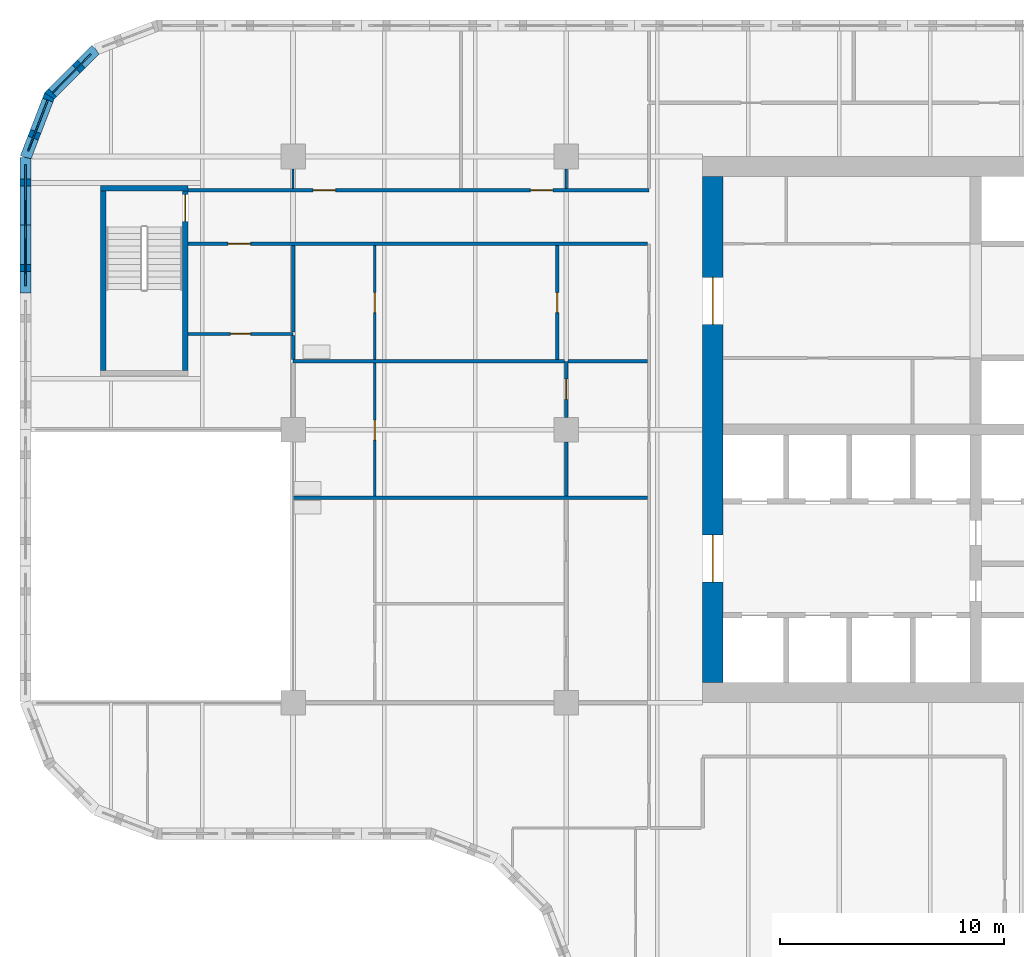
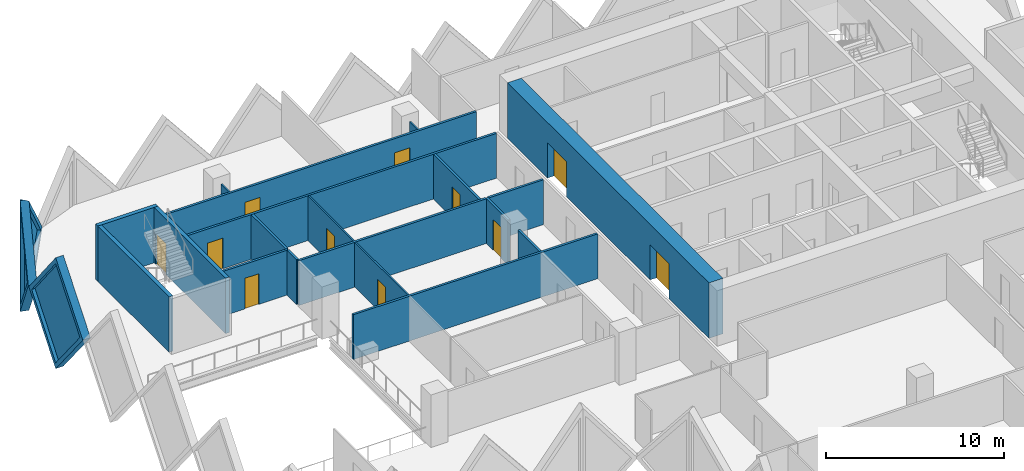
# One storey, part 8 of 20: 22 walls, 11 doors, 3 plates, 14 openings.
"""IFC4 building model written with IfcOpenShell, lengths in metres."""

import ifcopenshell
import ifcopenshell.guid

model = None  # the IFC model being written
_history = None  # IfcOwnerHistory: only IFC2X3 demands one
_inside = {}  # id of a spatial element -> (the spatial element, [elements in it])
_under = {}  # id of a project, library or spatial element -> (it, [spatial elements below it])
_declared = {}  # id of a project -> (the project, [libraries it declares])
_typed = {}  # id of a type object -> (the type object, [elements of that type])
_made_of = {}  # id of a material, layer set ... -> (it, [elements and type objects made of it])


def new_model(schema):
    """Start an empty IFC model of exactly this schema.

    Asked for "IFC4X3", IfcOpenShell would pick the latest addendum, in which some entities
    have other attributes; the version numbers below select the first issue.
    IFC2X3 requires an IfcOwnerHistory on every rooted entity: one is made here for all.
    """
    global model, _history
    if schema == "IFC4X3":
        model = ifcopenshell.file(schema_version=(4, 3, 0, 0))
    else:
        model = ifcopenshell.file(schema=schema)
    _inside.clear()
    _under.clear()
    _declared.clear()
    _typed.clear()
    _made_of.clear()
    _history = None
    if model.schema == "IFC2X3":
        org = make("IfcOrganization", Name="unknown")
        user = make(
            "IfcPersonAndOrganization",
            ThePerson=make("IfcPerson", FamilyName="unknown"),
            TheOrganization=org,
        )
        app = make(
            "IfcApplication",
            ApplicationDeveloper=org,
            Version="unknown",
            ApplicationFullName="unknown",
            ApplicationIdentifier="unknown",
        )
        _history = make(
            "IfcOwnerHistory",
            OwningUser=user,
            OwningApplication=app,
            ChangeAction="ADDED",
            CreationDate=0,
        )
    return model


def make(cls, **values):
    """One entity of the class cls with the attributes given. An attribute that is None is left unset."""
    return model.create_entity(
        cls, **{name: value for name, value in values.items() if value is not None}
    )


def rooted(cls, **values):
    """An entity with a GlobalId (a new one), such as an element, a storey or a relation."""
    return make(cls, GlobalId=ifcopenshell.guid.new(), OwnerHistory=_history, **values)


def si_unit(unit_type, name, prefix=None):
    """IfcSIUnit, for example si_unit("LENGTHUNIT", "METRE", prefix="MILLI")."""
    return make("IfcSIUnit", UnitType=unit_type, Prefix=prefix, Name=name)


def assignment(units):
    """IfcUnitAssignment: the units of a project."""
    return None if units is None else make("IfcUnitAssignment", Units=units)


def point(xyz):
    """IfcCartesianPoint."""
    return None if xyz is None else make("IfcCartesianPoint", Coordinates=xyz)


def direction(xyz):
    """IfcDirection."""
    return None if xyz is None else make("IfcDirection", DirectionRatios=xyz)


def frame(location, z_axis=None, x_axis=None):
    """IfcAxis2Placement3D, a coordinate frame: its origin and axes. An axis left out is left unset."""
    return make(
        "IfcAxis2Placement3D",
        Location=point(location),
        Axis=direction(z_axis),
        RefDirection=direction(x_axis),
    )


def frame_2d(location, x_axis=None):
    """IfcAxis2Placement2D, a coordinate frame in the plane: its origin and x axis."""
    return make(
        "IfcAxis2Placement2D", Location=point(location), RefDirection=direction(x_axis)
    )


def origin():
    """The frame at (0, 0, 0) with its axes left unset."""
    return frame((0.0, 0.0, 0.0))


def place(relative_to, where):
    """IfcLocalPlacement: puts the frame where relative to a parent placement (None: the world)."""
    return make(
        "IfcLocalPlacement", PlacementRelTo=relative_to, RelativePlacement=where
    )


def context(
    kind, dimensions, precision=None, world=None, true_north=None, identifier=None
):
    """IfcGeometricRepresentationContext, for example the 3D "Model" context."""
    return make(
        "IfcGeometricRepresentationContext",
        ContextIdentifier=identifier,
        ContextType=kind,
        CoordinateSpaceDimension=dimensions,
        Precision=precision,
        WorldCoordinateSystem=world,
        TrueNorth=true_north,
    )


def subcontext(parent, identifier, kind, view, scale=None):
    """IfcGeometricRepresentationSubContext, for example "Body" below "Model"."""
    return make(
        "IfcGeometricRepresentationSubContext",
        ContextIdentifier=identifier,
        ContextType=kind,
        ParentContext=parent,
        TargetScale=scale,
        TargetView=view,
    )


def project(units=None, contexts=None):
    """IfcProject with its units and contexts."""
    return rooted(
        "IfcProject",
        Name="project",
        RepresentationContexts=contexts,
        UnitsInContext=assignment(units),
    )


def spatial(cls, under=None, at=None, **own):
    """A site, building, storey or space (cls), placed at a placement, below another one or the project."""
    s = rooted(cls, ObjectPlacement=at, **own)
    if under is not None:
        _under.setdefault(under.id(), (under, []))[1].append(s)
    return s


def polyline(points):
    """IfcPolyline through the points."""
    return make("IfcPolyline", Points=[point(p) for p in points])


def profile(cls, at=None, kind="AREA", **sizes):
    """A parametric profile (cls). Its sizes go by their IFC names, for example OverallWidth=200.0."""
    return make(cls, ProfileType=kind, Position=at, **sizes)


def rectangle(**sizes):
    """IfcRectangleProfileDef."""
    return profile("IfcRectangleProfileDef", **sizes)


def outline(outer, holes=None, kind="AREA"):
    """IfcArbitraryClosedProfileDef: a profile drawn as a closed curve; with holes, ...WithVoids."""
    if holes is None:
        return make("IfcArbitraryClosedProfileDef", ProfileType=kind, OuterCurve=outer)
    return make(
        "IfcArbitraryProfileDefWithVoids",
        ProfileType=kind,
        OuterCurve=outer,
        InnerCurves=holes,
    )


def extrude(swept, where, along, depth):
    """IfcExtrudedAreaSolid: the profile swept, set in the frame where, extruded along a direction by depth."""
    return make(
        "IfcExtrudedAreaSolid",
        SweptArea=swept,
        Position=where,
        ExtrudedDirection=direction(along),
        Depth=depth,
    )


def faces_of(points, faces, orient=None, outer=None):
    """IfcFace entities. A face is a list of loops; a loop is a list of indices into points, from 0.

    orient and outer hold one flag for each loop. By default every Orientation is true, the
    first loop of a face is its IfcFaceOuterBound and the others are IfcFaceBound.
    """
    made = []
    for i, loops in enumerate(faces):
        bounds = []
        for j, loop in enumerate(loops):
            is_outer = j == 0 if outer is None else outer[i][j]
            bounds.append(
                make(
                    "IfcFaceOuterBound" if is_outer else "IfcFaceBound",
                    Bound=make("IfcPolyLoop", Polygon=[points[k] for k in loop]),
                    Orientation=True if orient is None else orient[i][j],
                )
            )
        made.append(make("IfcFace", Bounds=bounds))
    return made


def faceted_brep(points, faces, orient=None, outer=None, voids=None):
    """IfcFacetedBrep: a solid bounded by flat faces; with voids (closed shells), ...WithVoids."""
    shared = [point(p) for p in points]
    hull = make("IfcClosedShell", CfsFaces=faces_of(shared, faces, orient, outer))
    if voids is None:
        return make("IfcFacetedBrep", Outer=hull)
    return make(
        "IfcFacetedBrepWithVoids",
        Outer=hull,
        Voids=[
            make(cls, CfsFaces=faces_of(shared, fs, o, b)) for cls, fs, o, b in voids
        ],
    )


def shape(context_of_items, identifier, shape_type, items):
    """IfcShapeRepresentation: the items that make up one representation, for example the "Body"."""
    return make(
        "IfcShapeRepresentation",
        ContextOfItems=context_of_items,
        RepresentationIdentifier=identifier,
        RepresentationType=shape_type,
        Items=items,
    )


def source(mapping_origin, context_of_items, identifier, shape_type, items):
    """IfcRepresentationMap: a shape defined once, which mapped items show again and again."""
    return make(
        "IfcRepresentationMap",
        MappingOrigin=mapping_origin,
        MappedRepresentation=shape(context_of_items, identifier, shape_type, items),
    )


def transform(
    local_origin,
    x_axis=None,
    y_axis=None,
    z_axis=None,
    scale=None,
    scale2=None,
    scale3=None,
    uniform=True,
):
    """IfcCartesianTransformationOperator3D, or its non-uniform kind. x_axis, y_axis, z_axis: its Axis1, 2, 3."""
    if uniform:
        return make(
            "IfcCartesianTransformationOperator3D",
            Axis1=direction(x_axis),
            Axis2=direction(y_axis),
            LocalOrigin=point(local_origin),
            Scale=scale,
            Axis3=direction(z_axis),
        )
    return make(
        "IfcCartesianTransformationOperator3DnonUniform",
        Axis1=direction(x_axis),
        Axis2=direction(y_axis),
        LocalOrigin=point(local_origin),
        Scale=scale,
        Axis3=direction(z_axis),
        Scale2=scale2,
        Scale3=scale3,
    )


def mapped(mapping_source, mapping_target):
    """IfcMappedItem: shows the shape of a source again, moved by a transform."""
    return make(
        "IfcMappedItem", MappingSource=mapping_source, MappingTarget=mapping_target
    )


def material(Name=None, Category=None):
    """IfcMaterial."""
    return make("IfcMaterial", Name=Name, Category=Category)


def layer(
    of_material, thickness, ventilated=None, Name=None, Category=None, Priority=None
):
    """IfcMaterialLayer: one layer of a wall or slab, of a material (None: an air gap)."""
    return make(
        "IfcMaterialLayer",
        Material=of_material,
        LayerThickness=thickness,
        IsVentilated=ventilated,
        Name=Name,
        Category=Category,
        Priority=Priority,
    )


def layer_set(layers, Name=None):
    """IfcMaterialLayerSet."""
    return make("IfcMaterialLayerSet", MaterialLayers=layers, LayerSetName=Name)


def made_of(thing, what):
    """Note that an element or type object is made of a material, layer set ...; save() writes the relation."""
    if what is not None:
        _made_of.setdefault(what.id(), (what, []))[1].append(thing)
    return thing


def type_object(cls, material=None, **own):
    """A type object (cls), such as IfcWallType, which elements share."""
    return made_of(rooted(cls, **own), material)


def element(
    cls,
    number,
    at=None,
    inside=None,
    cuts=None,
    type_object=None,
    material=None,
    context=None,
    identifier="Body",
    shape_type=None,
    held_by="IfcProductDefinitionShape",
    body=None,
    shapes=None,
    **own,
):
    """One element of the class cls, such as IfcWall. Its Tag is "e" and its number.

    at: its placement. inside: the storey or other place that contains it. cuts: it is an
    opening in that element (IfcRelVoidsElement). A single representation is given by context,
    identifier, shape_type and body (its items); several are given by shapes. held_by: the class
    of the entity that holds the representations. save() writes the other relations.
    """
    e = rooted(cls, Tag="e%d" % number, ObjectPlacement=at, **own)
    if body is not None:
        shapes = [shape(context, identifier, shape_type, body)]
    if shapes is not None:
        e.Representation = make(held_by, Representations=shapes)
    if inside is not None:
        _inside.setdefault(inside.id(), (inside, []))[1].append(e)
    if cuts is not None:
        rooted(
            "IfcRelVoidsElement", RelatingBuildingElement=cuts, RelatedOpeningElement=e
        )
    if type_object is not None:
        _typed.setdefault(type_object.id(), (type_object, []))[1].append(e)
    return made_of(e, material)


def fill(opening, filler):
    """IfcRelFillsElement: the door or window that sits in an opening."""
    return rooted(
        "IfcRelFillsElement",
        RelatingOpeningElement=opening,
        RelatedBuildingElement=filler,
    )


def aggregate(whole, parts):
    """IfcRelAggregates: a whole, such as a stair, and the parts it consists of."""
    return rooted("IfcRelAggregates", RelatingObject=whole, RelatedObjects=parts)


def save(model, path):
    """Write the relations noted so far, then the file.

    IfcRelAggregates (storeys below a building ...), IfcRelContainedInSpatialStructure (elements
    in a storey), IfcRelDefinesByType, IfcRelAssociatesMaterial and IfcRelDeclares: one each for
    every whole, place, type object, material and project.
    """
    for whole, parts in _under.values():
        aggregate(whole, parts)
    for where, things in _inside.values():
        rooted(
            "IfcRelContainedInSpatialStructure",
            RelatedElements=things,
            RelatingStructure=where,
        )
    for kind, things in _typed.values():
        rooted("IfcRelDefinesByType", RelatedObjects=things, RelatingType=kind)
    for what, things in _made_of.values():
        rooted("IfcRelAssociatesMaterial", RelatedObjects=things, RelatingMaterial=what)
    for by, libraries in _declared.values():
        rooted("IfcRelDeclares", RelatingContext=by, RelatedDefinitions=libraries)
    model.write(path)


model = new_model("IFC4")

# Units and contexts
model_context = context("Model", 3, precision=1e-05, world=origin(), true_north=direction((0.0, 1.0)))
body_context = subcontext(model_context, "Body", "Model", "MODEL_VIEW")
ifc_project = project(units=[si_unit("LENGTHUNIT", "METRE"), si_unit("AREAUNIT", "SQUARE_METRE"), si_unit("VOLUMEUNIT", "CUBIC_METRE"), si_unit("PLANEANGLEUNIT", "RADIAN"), si_unit("MASSUNIT", "GRAM", prefix="KILO")], contexts=[model_context])

# Site, building, storey
site_placement = place(None, origin())
site = spatial("IfcSite", under=ifc_project, at=site_placement, CompositionType="ELEMENT")
building_placement = place(site_placement, origin())
building = spatial("IfcBuilding", under=site, at=building_placement, Name="Tessera Gate Towers", CompositionType="ELEMENT")
storey_placement = place(building_placement, frame((0.0, 0.0, 48.60009765625)))
storey = spatial("IfcBuildingStorey", under=building, at=storey_placement, Name="L11", CompositionType="ELEMENT", Elevation=48.60009765625)

# Walls
ifc_material_1 = material(Name="Concrete C40/50", Category="concrete")
ifc_layer_1 = layer(ifc_material_1, 0.25)
ifc_layer_set_1 = layer_set([ifc_layer_1], Name="CORE ENCLOSURE WALL 250")
wall_type_1 = type_object("IfcWallType", Name="CORE ENCLOSURE WALL 250", PredefinedType="SOLIDWALL", material=ifc_layer_set_1)
wall_1_placement = place(storey_placement, frame((3.72509765625, 39.25, 0.0), z_axis=(0.0, 0.0, 1.0), x_axis=(0.0, 1.0, 0.0)))
element("IfcWall", 1, at=wall_1_placement, inside=storey, type_object=wall_type_1, Name="L11 ST3 enclosure wall", PredefinedType="SOLIDWALL", context=body_context, shape_type="SweptSolid", body=[
    extrude(rectangle(XDim=8.0, YDim=0.25, at=frame_2d((4.0, 0.0))), origin(), (0.0, 0.0, 1.0), 3.7998046875),
])
wall_2_placement = place(storey_placement, frame((3.60009765625, 47.375, 0.0), z_axis=(0.0, 0.0, 1.0), x_axis=(1.0, 0.0, 0.0)))
element("IfcWall", 2, at=wall_2_placement, inside=storey, type_object=wall_type_1, Name="L11 ST3 enclosure wall", PredefinedType="SOLIDWALL", context=body_context, shape_type="SweptSolid", body=[
    extrude(rectangle(XDim=3.89990234375, YDim=0.25, at=frame_2d((1.949951171875, 0.0))), origin(), (0.0, 0.0, 1.0), 3.7998046875),
])

# Wall, opening, door
wall_3_placement = place(storey_placement, frame((7.375, 47.25, 0.0), z_axis=(0.0, 0.0, 1.0), x_axis=(0.0, -1.0, 0.0)))
wall_3 = element("IfcWall", 3, at=wall_3_placement, inside=storey, type_object=wall_type_1, Name="L11 ST3 enclosure wall", PredefinedType="SOLIDWALL", context=body_context, shape_type="SweptSolid", body=[
    extrude(rectangle(XDim=8.0, YDim=0.25, at=frame_2d((4.0, 0.0))), origin(), (0.0, 0.0, 1.0), 3.7998046875),
])
shared_shape_1 = source(origin(), body_context, "Body", "SweptSolid", [
    extrude(rectangle(XDim=1.199951171875, YDim=2.10009765625, at=frame_2d((0.60009765625, 1.050048828125))), frame((0.0, 0.135009765625, 0.0), z_axis=(0.0, -1.0, 0.0), x_axis=(1.0, 0.0, 0.0)), (0.0, 0.0, 1.0), 0.27001953125),
])
opening_1_placement = place(wall_3_placement, frame((0.14990234375, 0.0, 0.0)))
opening_1 = element("IfcOpeningElement", 4, at=opening_1_placement, cuts=wall_3, Name="Opening SD-ST3-1", PredefinedType="OPENING", context=body_context, shape_type="MappedRepresentation", body=[
    mapped(shared_shape_1, transform((0.0, 0.0, 0.0), scale=1.0)),
])
ifc_material_2 = material(Name="Hollow steel fire door", Category="steel")
door_type_1 = type_object("IfcDoorType", Name="CORE DOOR SD 1200x2100", OperationType="NOTDEFINED", PredefinedType="DOOR", material=ifc_material_2)
shared_shape_2 = source(origin(), body_context, "Body", "SweptSolid", [
    extrude(rectangle(XDim=1.199951171875, YDim=2.10009765625, at=frame_2d((0.60009765625, 1.050048828125))), frame((0.0, 0.02490234375, 0.0), z_axis=(0.0, -1.0, 0.0), x_axis=(1.0, 0.0, 0.0)), (0.0, 0.0, 1.0), 0.050048828125),
])
door_1_placement = place(opening_1_placement, origin())
door_1 = element("IfcDoor", 5, at=door_1_placement, inside=storey, type_object=door_type_1, Name="Stair door", OperationType="SINGLE_SWING_LEFT", OverallHeight=2.10009765625, OverallWidth=1.199951171875, PredefinedType="DOOR", context=body_context, shape_type="MappedRepresentation", body=[
    mapped(shared_shape_2, transform((0.0, 0.0, 0.0), scale=1.0)),
])
fill(opening_1, door_1)

# Wall, openings, doors
ifc_material_3 = material(Name="Concrete C70/85", Category="concrete")
ifc_layer_2 = layer(ifc_material_3, 0.89990234375)
ifc_layer_set_2 = layer_set([ifc_layer_2], Name="CORE SHEAR WALL 900 C70/85")
wall_type_2 = type_object("IfcWallType", Name="CORE SHEAR WALL 900 C70/85", PredefinedType="SHEAR", material=ifc_layer_set_2)
wall_4_placement = place(storey_placement, frame((30.949951171875, 25.300048828125, 0.0), z_axis=(0.0, 0.0, 1.0), x_axis=(0.0, 1.0, 0.0)))
wall_4 = element("IfcWall", 6, at=wall_4_placement, inside=storey, type_object=wall_type_2, Name="Core wall W L11", PredefinedType="SHEAR", context=body_context, shape_type="SweptSolid", body=[
    extrude(rectangle(XDim=22.599853515625, YDim=0.89990234375, at=frame_2d((11.2998046875, 0.0))), origin(), (0.0, 0.0, 1.0), 3.7998046875),
])
shared_shape_3 = source(origin(), body_context, "Body", "SweptSolid", [
    extrude(rectangle(XDim=2.10009765625, YDim=2.39990234375, at=frame_2d((1.050048828125, 1.199951171875))), frame((0.0, 0.4599609375, 0.0), z_axis=(0.0, -1.0, 0.0), x_axis=(1.0, 0.0, 0.0)), (0.0, 0.0, 1.0), 0.919921875),
])
opening_2_placement = place(wall_4_placement, frame((4.5, 0.0, 0.0)))
opening_2 = element("IfcOpeningElement", 7, at=opening_2_placement, cuts=wall_4, Name="Opening DD-T1-08-02", PredefinedType="OPENING", context=body_context, shape_type="MappedRepresentation", body=[
    mapped(shared_shape_3, transform((0.0, 0.0, 0.0), scale=1.0)),
])
opening_3_placement = place(wall_4_placement, frame((16.0, 0.0, 0.0)))
opening_3 = element("IfcOpeningElement", 8, at=opening_3_placement, cuts=wall_4, Name="Opening DD-T1-08-03", PredefinedType="OPENING", context=body_context, shape_type="MappedRepresentation", body=[
    mapped(shared_shape_3, transform((0.0, 0.0, 0.0), scale=1.0)),
])
ifc_material_4 = material(Name="Hollow steel fire door", Category="steel")
door_type_2 = type_object("IfcDoorType", Name="CORE DOOR DD 2100x2400", OperationType="NOTDEFINED", PredefinedType="DOOR", material=ifc_material_4)
shared_shape_4 = source(origin(), body_context, "Body", "SweptSolid", [
    extrude(rectangle(XDim=2.10009765625, YDim=2.39990234375, at=frame_2d((1.050048828125, 1.199951171875))), frame((0.0, 0.02490234375, 0.0), z_axis=(0.0, -1.0, 0.0), x_axis=(1.0, 0.0, 0.0)), (0.0, 0.0, 1.0), 0.050048828125),
])
door_2_placement = place(opening_2_placement, origin())
door_2 = element("IfcDoor", 9, at=door_2_placement, inside=storey, type_object=door_type_2, Name="Core entrance door", OperationType="DOUBLE_DOOR_SINGLE_SWING", OverallHeight=2.39990234375, OverallWidth=2.10009765625, PredefinedType="DOOR", context=body_context, shape_type="MappedRepresentation", body=[
    mapped(shared_shape_4, transform((0.0, 0.0, 0.0), scale=1.0)),
])
fill(opening_2, door_2)
door_3_placement = place(opening_3_placement, origin())
door_3 = element("IfcDoor", 10, at=door_3_placement, inside=storey, type_object=door_type_2, Name="Core entrance door", OperationType="DOUBLE_DOOR_SINGLE_SWING", OverallHeight=2.39990234375, OverallWidth=2.10009765625, PredefinedType="DOOR", context=body_context, shape_type="MappedRepresentation", body=[
    mapped(shared_shape_4, transform((0.0, 0.0, 0.0), scale=1.0)),
])
fill(opening_3, door_3)

# Wall, opening, door
ifc_material_5 = material(Name="Gypsum board on steel studs, mineral wool", Category="steel")
ifc_layer_3 = layer(ifc_material_5, 0.14990234375)
ifc_layer_set_3 = layer_set([ifc_layer_3], Name="CORRIDOR WALL 150")
wall_type_3 = type_object("IfcWallType", Name="CORRIDOR WALL 150", PredefinedType="PARTITIONING", material=ifc_layer_set_3)
wall_5_placement = place(storey_placement, frame((28.02392578125, 44.89990234375, 0.0), z_axis=(0.0, 0.0, 1.0), x_axis=(-1.0, 0.0, 0.0)))
wall_5 = element("IfcWall", 11, at=wall_5_placement, inside=storey, type_object=wall_type_3, Name="T1-L11-PW-048", PredefinedType="PARTITIONING", context=body_context, shape_type="SweptSolid", body=[
    extrude(rectangle(XDim=20.52392578125, YDim=0.14990234375, at=frame_2d((10.261962890625, 0.0))), origin(), (0.0, 0.0, 1.0), 3.06689453125),
])
shared_shape_5 = source(origin(), body_context, "Body", "SweptSolid", [
    extrude(rectangle(XDim=1.0, YDim=2.10009765625, at=frame_2d((0.5, 1.050048828125))), frame((0.0, 0.0849609375, 0.0), z_axis=(0.0, -1.0, 0.0), x_axis=(1.0, 0.0, 0.0)), (0.0, 0.0, 1.0), 0.169921875),
])
opening_4_placement = place(wall_5_placement, frame((17.72412109375, 0.0, 0.0)))
opening_4 = element("IfcOpeningElement", 12, at=opening_4_placement, cuts=wall_5, Name="Opening D2100FD60-A04-01", PredefinedType="OPENING", context=body_context, shape_type="MappedRepresentation", body=[
    mapped(shared_shape_5, transform((0.0, 0.0, 0.0), scale=1.0)),
])
ifc_material_6 = material(Name="Timber door leaf in steel frame", Category="steel")
door_type_3 = type_object("IfcDoorType", Name="TENANCY ENTRANCE DOOR 1000 FD60", OperationType="NOTDEFINED", PredefinedType="DOOR", material=ifc_material_6)
shared_shape_6 = source(origin(), body_context, "Body", "SweptSolid", [
    extrude(rectangle(XDim=1.0, YDim=2.10009765625, at=frame_2d((0.5, 1.050048828125))), frame((0.0, 0.02490234375, 0.0), z_axis=(0.0, -1.0, 0.0), x_axis=(1.0, 0.0, 0.0)), (0.0, 0.0, 1.0), 0.050048828125),
])
door_4_placement = place(opening_4_placement, origin())
door_4 = element("IfcDoor", 13, at=door_4_placement, inside=storey, type_object=door_type_3, Name="T1-L11-PD-005", OperationType="SINGLE_SWING_RIGHT", OverallHeight=2.10009765625, OverallWidth=1.0, PredefinedType="DOOR", context=body_context, shape_type="MappedRepresentation", body=[
    mapped(shared_shape_6, transform((0.0, 0.0, 0.0), scale=1.0)),
])
fill(opening_4, door_4)

# Wall, openings, doors
wall_6_placement = place(storey_placement, frame((7.5, 47.300048828125, 0.0), z_axis=(0.0, 0.0, 1.0), x_axis=(1.0, 0.0, 0.0)))
wall_6 = element("IfcWall", 14, at=wall_6_placement, inside=storey, type_object=wall_type_3, Name="T1-L11-PW-049", PredefinedType="PARTITIONING", context=body_context, shape_type="SweptSolid", body=[
    extrude(rectangle(XDim=20.60009765625, YDim=0.14990234375, at=frame_2d((10.300048828125, 0.0))), origin(), (0.0, 0.0, 1.0), 3.06689453125),
])
opening_5_placement = place(wall_6_placement, frame((15.301025390625, 0.0, 0.0)))
opening_5 = element("IfcOpeningElement", 15, at=opening_5_placement, cuts=wall_6, Name="Opening D2100FD60-A04-06", PredefinedType="OPENING", context=body_context, shape_type="MappedRepresentation", body=[
    mapped(shared_shape_5, transform((0.0, 0.0, 0.0), scale=1.0)),
])
opening_6_placement = place(wall_6_placement, frame((5.60009765625, 0.0, 0.0)))
opening_6 = element("IfcOpeningElement", 16, at=opening_6_placement, cuts=wall_6, Name="Opening D2100FD60-A04-08", PredefinedType="OPENING", context=body_context, shape_type="MappedRepresentation", body=[
    mapped(shared_shape_5, transform((0.0, 0.0, 0.0), scale=1.0)),
])
door_5_placement = place(opening_5_placement, origin())
door_5 = element("IfcDoor", 17, at=door_5_placement, inside=storey, type_object=door_type_3, Name="T1-L11-PD-018", OperationType="SINGLE_SWING_RIGHT", OverallHeight=2.10009765625, OverallWidth=1.0, PredefinedType="DOOR", context=body_context, shape_type="MappedRepresentation", body=[
    mapped(shared_shape_6, transform((0.0, 0.0, 0.0), scale=1.0)),
])
fill(opening_5, door_5)
door_6_placement = place(opening_6_placement, origin())
door_6 = element("IfcDoor", 18, at=door_6_placement, inside=storey, type_object=door_type_3, Name="T1-L11-PD-027", OperationType="SINGLE_SWING_LEFT", OverallHeight=2.10009765625, OverallWidth=1.0, PredefinedType="DOOR", context=body_context, shape_type="MappedRepresentation", body=[
    mapped(shared_shape_6, transform((0.0, 0.0, 0.0), scale=1.0)),
])
fill(opening_6, door_6)

# Wall, opening, door
ifc_material_7 = material(Name="Gypsum board on steel studs", Category="steel")
ifc_layer_4 = layer(ifc_material_7, 0.10009765625)
ifc_layer_set_4 = layer_set([ifc_layer_4], Name="PARTITION 100")
wall_type_4 = type_object("IfcWallType", Name="PARTITION 100", PredefinedType="PARTITIONING", material=ifc_layer_set_4)
wall_7_placement = place(storey_placement, frame((15.85009765625, 33.6259765625, 0.0), z_axis=(0.0, 0.0, 1.0), x_axis=(0.0, 1.0, 0.0)))
wall_7 = element("IfcWall", 19, at=wall_7_placement, inside=storey, type_object=wall_type_4, Name="T1-L11-PW-037", PredefinedType="PARTITIONING", context=body_context, shape_type="SweptSolid", body=[
    extrude(rectangle(XDim=5.947998046875, YDim=0.10009765625, at=frame_2d((2.97412109375, 0.0))), origin(), (0.0, 0.0, 1.0), 3.06689453125),
])
shared_shape_7 = source(origin(), body_context, "Body", "SweptSolid", [
    extrude(rectangle(XDim=0.89990234375, YDim=2.10009765625, at=frame_2d((0.449951171875, 1.050048828125))), frame((0.0, 0.06005859375, 0.0), z_axis=(0.0, -1.0, 0.0), x_axis=(1.0, 0.0, 0.0)), (0.0, 0.0, 1.0), 0.1201171875),
])
opening_7_placement = place(wall_7_placement, frame((2.5, 0.0, 0.0)))
opening_7 = element("IfcOpeningElement", 20, at=opening_7_placement, cuts=wall_7, Name="Opening D190-A04-08", PredefinedType="OPENING", context=body_context, shape_type="MappedRepresentation", body=[
    mapped(shared_shape_7, transform((0.0, 0.0, 0.0), scale=1.0)),
])
ifc_material_8 = material(Name="Timber door leaf in steel frame", Category="steel")
door_type_4 = type_object("IfcDoorType", Name="INTERNAL DOOR 900 NOT RATED", OperationType="NOTDEFINED", PredefinedType="DOOR", material=ifc_material_8)
shared_shape_8 = source(origin(), body_context, "Body", "SweptSolid", [
    extrude(rectangle(XDim=0.89990234375, YDim=2.10009765625, at=frame_2d((0.449951171875, 1.050048828125))), frame((0.0, 0.02490234375, 0.0), z_axis=(0.0, -1.0, 0.0), x_axis=(1.0, 0.0, 0.0)), (0.0, 0.0, 1.0), 0.050048828125),
])
door_7_placement = place(opening_7_placement, origin())
door_7 = element("IfcDoor", 21, at=door_7_placement, inside=storey, type_object=door_type_4, Name="T1-L11-PD-014", OperationType="SINGLE_SWING_LEFT", OverallHeight=2.10009765625, OverallWidth=0.89990234375, PredefinedType="DOOR", context=body_context, shape_type="MappedRepresentation", body=[
    mapped(shared_shape_8, transform((0.0, 0.0, 0.0), scale=1.0)),
])
fill(opening_7, door_7)

wall_8_placement = place(storey_placement, frame((15.85009765625, 39.72607421875, 0.0), z_axis=(0.0, 0.0, 1.0), x_axis=(0.0, 1.0, 0.0)))
wall_8 = element("IfcWall", 22, at=wall_8_placement, inside=storey, type_object=wall_type_4, Name="T1-L11-PW-044", PredefinedType="PARTITIONING", context=body_context, shape_type="SweptSolid", body=[
    extrude(rectangle(XDim=5.097900390625, YDim=0.10009765625, at=frame_2d((2.548828125, 0.0))), origin(), (0.0, 0.0, 1.0), 3.06689453125),
])
opening_8_placement = place(wall_8_placement, frame((2.10009765625, 0.0, 0.0)))
opening_8 = element("IfcOpeningElement", 23, at=opening_8_placement, cuts=wall_8, Name="Opening D190-A04-07", PredefinedType="OPENING", context=body_context, shape_type="MappedRepresentation", body=[
    mapped(shared_shape_7, transform((0.0, 0.0, 0.0), scale=1.0)),
])
door_8_placement = place(opening_8_placement, origin())
door_8 = element("IfcDoor", 24, at=door_8_placement, inside=storey, type_object=door_type_4, Name="T1-L11-PD-011", OperationType="SINGLE_SWING_LEFT", OverallHeight=2.10009765625, OverallWidth=0.89990234375, PredefinedType="DOOR", context=body_context, shape_type="MappedRepresentation", body=[
    mapped(shared_shape_8, transform((0.0, 0.0, 0.0), scale=1.0)),
])
fill(opening_8, door_8)

# Walls
for number, where, z_axis, x_axis, name in (
    (25, (12.199951171875, 48.25, 0.0), (0.0, 0.0, 1.0), (0.0, -1.0, 0.0), "T1-L11-PW-052"),
    (26, (24.39990234375, 48.25, 0.0), (0.0, 0.0, 1.0), (0.0, -1.0, 0.0), "T1-L11-PW-053"),
):
    element("IfcWall", number, at=place(storey_placement, frame(where, z_axis=z_axis, x_axis=x_axis)), inside=storey, type_object=wall_type_4, Name=name, PredefinedType="PARTITIONING", context=body_context, shape_type="SweptSolid", body=[
        extrude(rectangle(XDim=0.875, YDim=0.10009765625, at=frame_2d((0.4375, 0.0))), origin(), (0.0, 0.0, 1.0), 3.06689453125),
    ])
ifc_material_9 = material(Name="Gypsum board on steel studs, mineral wool", Category="steel")
ifc_layer_5 = layer(ifc_material_9, 0.14990234375)
ifc_layer_set_5 = layer_set([ifc_layer_5], Name="TENANCY WALL 150")
wall_type_5 = type_object("IfcWallType", Name="TENANCY WALL 150", PredefinedType="PARTITIONING", material=ifc_layer_set_5)
wall_9_placement = place(storey_placement, frame((12.199951171875, 33.550048828125, 0.0), z_axis=(0.0, 0.0, 1.0), x_axis=(1.0, 0.0, 0.0)))
element("IfcWall", 27, at=wall_9_placement, inside=storey, type_object=wall_type_5, Name="T1-L11-PW-036", PredefinedType="PARTITIONING", context=body_context, shape_type="SweptSolid", body=[
    extrude(rectangle(XDim=15.823974609375, YDim=0.14990234375, at=frame_2d((7.912109375, 0.0))), origin(), (0.0, 0.0, 1.0), 3.06689453125),
])
wall_10_placement = place(storey_placement, frame((24.39990234375, 33.6259765625, 0.0), z_axis=(0.0, 0.0, 1.0), x_axis=(0.0, 1.0, 0.0)))
element("IfcWall", 28, at=wall_10_placement, inside=storey, type_object=wall_type_5, Name="T1-L11-PW-038", PredefinedType="PARTITIONING", context=body_context, shape_type="SweptSolid", body=[
    extrude(rectangle(XDim=2.423095703125, YDim=0.14990234375, at=frame_2d((1.21142578125, 0.0))), origin(), (0.0, 0.0, 1.0), 3.06689453125),
])

# Wall, opening, door
wall_11_placement = place(storey_placement, frame((24.39990234375, 37.15087890625, 0.0), z_axis=(0.0, 0.0, 1.0), x_axis=(0.0, 1.0, 0.0)))
wall_11 = element("IfcWall", 29, at=wall_11_placement, inside=storey, type_object=wall_type_5, Name="T1-L11-PW-040", PredefinedType="PARTITIONING", context=body_context, shape_type="SweptSolid", body=[
    extrude(rectangle(XDim=2.4990234375, YDim=0.14990234375, at=frame_2d((1.24951171875, 0.0))), origin(), (0.0, 0.0, 1.0), 3.06689453125),
])
shared_shape_9 = source(origin(), body_context, "Body", "SweptSolid", [
    extrude(rectangle(XDim=0.89990234375, YDim=2.10009765625, at=frame_2d((0.449951171875, 1.050048828125))), frame((0.0, 0.0849609375, 0.0), z_axis=(0.0, -1.0, 0.0), x_axis=(1.0, 0.0, 0.0)), (0.0, 0.0, 1.0), 0.169921875),
])
opening_9_placement = place(wall_11_placement, frame((0.800048828125, 0.0, 0.0)))
opening_9 = element("IfcOpeningElement", 30, at=opening_9_placement, cuts=wall_11, Name="Opening D190-A04-05", PredefinedType="OPENING", context=body_context, shape_type="MappedRepresentation", body=[
    mapped(shared_shape_9, transform((0.0, 0.0, 0.0), scale=1.0)),
])
door_9_placement = place(opening_9_placement, origin())
door_9 = element("IfcDoor", 31, at=door_9_placement, inside=storey, type_object=door_type_4, Name="T1-L11-PD-009", OperationType="SINGLE_SWING_LEFT", OverallHeight=2.10009765625, OverallWidth=0.89990234375, PredefinedType="DOOR", context=body_context, shape_type="MappedRepresentation", body=[
    mapped(shared_shape_8, transform((0.0, 0.0, 0.0), scale=1.0)),
])
fill(opening_9, door_9)

# Walls
wall_12_placement = place(storey_placement, frame((12.199951171875, 39.64990234375, 0.0), z_axis=(0.0, 0.0, 1.0), x_axis=(1.0, 0.0, 0.0)))
element("IfcWall", 32, at=wall_12_placement, inside=storey, type_object=wall_type_5, Name="T1-L11-PW-041", PredefinedType="PARTITIONING", context=body_context, shape_type="SweptSolid", body=[
    extrude(rectangle(XDim=12.1240234375, YDim=0.14990234375, at=frame_2d((6.06201171875, 0.0))), origin(), (0.0, 0.0, 1.0), 3.06689453125),
])
wall_13_placement = place(storey_placement, frame((24.47607421875, 39.64990234375, 0.0), z_axis=(0.0, 0.0, 1.0), x_axis=(1.0, 0.0, 0.0)))
element("IfcWall", 33, at=wall_13_placement, inside=storey, type_object=wall_type_5, Name="T1-L11-PW-042", PredefinedType="PARTITIONING", context=body_context, shape_type="SweptSolid", body=[
    extrude(rectangle(XDim=3.5478515625, YDim=0.14990234375, at=frame_2d((1.77392578125, 0.0))), origin(), (0.0, 0.0, 1.0), 3.06689453125),
])
wall_14_placement = place(storey_placement, frame((12.199951171875, 39.72607421875, 0.0), z_axis=(0.0, 0.0, 1.0), x_axis=(0.0, 1.0, 0.0)))
element("IfcWall", 34, at=wall_14_placement, inside=storey, type_object=wall_type_5, Name="T1-L11-PW-043", PredefinedType="PARTITIONING", context=body_context, shape_type="SweptSolid", body=[
    extrude(rectangle(XDim=1.072998046875, YDim=0.14990234375, at=frame_2d((0.53662109375, 0.0))), origin(), (0.0, 0.0, 1.0), 3.06689453125),
])

# Wall, opening, door
wall_15_placement = place(storey_placement, frame((24.0, 39.72607421875, 0.0), z_axis=(0.0, 0.0, 1.0), x_axis=(0.0, 1.0, 0.0)))
wall_15 = element("IfcWall", 35, at=wall_15_placement, inside=storey, type_object=wall_type_5, Name="T1-L11-PW-045", PredefinedType="PARTITIONING", context=body_context, shape_type="SweptSolid", body=[
    extrude(rectangle(XDim=5.097900390625, YDim=0.14990234375, at=frame_2d((2.548828125, 0.0))), origin(), (0.0, 0.0, 1.0), 3.06689453125),
])
opening_10_placement = place(wall_15_placement, frame((2.10009765625, 0.0, 0.0)))
opening_10 = element("IfcOpeningElement", 36, at=opening_10_placement, cuts=wall_15, Name="Opening D190-A04-06", PredefinedType="OPENING", context=body_context, shape_type="MappedRepresentation", body=[
    mapped(shared_shape_9, transform((0.0, 0.0, 0.0), scale=1.0)),
])
door_10_placement = place(opening_10_placement, origin())
door_10 = element("IfcDoor", 37, at=door_10_placement, inside=storey, type_object=door_type_4, Name="T1-L11-PD-010", OperationType="SINGLE_SWING_LEFT", OverallHeight=2.10009765625, OverallWidth=0.89990234375, PredefinedType="DOOR", context=body_context, shape_type="MappedRepresentation", body=[
    mapped(shared_shape_8, transform((0.0, 0.0, 0.0), scale=1.0)),
])
fill(opening_10, door_10)

wall_16_placement = place(storey_placement, frame((12.199951171875, 40.875, 0.0), z_axis=(0.0, 0.0, 1.0), x_axis=(-1.0, 0.0, 0.0)))
wall_16 = element("IfcWall", 38, at=wall_16_placement, inside=storey, type_object=wall_type_5, Name="T1-L11-PW-046", PredefinedType="PARTITIONING", context=body_context, shape_type="SweptSolid", body=[
    extrude(rectangle(XDim=4.699951171875, YDim=0.14990234375, at=frame_2d((2.35009765625, 0.0))), origin(), (0.0, 0.0, 1.0), 3.06689453125),
])
opening_11_placement = place(wall_16_placement, frame((1.89990234375, 0.0, 0.0)))
opening_11 = element("IfcOpeningElement", 39, at=opening_11_placement, cuts=wall_16, Name="Opening D190-A04-04", PredefinedType="OPENING", context=body_context, shape_type="MappedRepresentation", body=[
    mapped(shared_shape_9, transform((0.0, 0.0, 0.0), scale=1.0)),
])
door_11_placement = place(opening_11_placement, origin())
door_11 = element("IfcDoor", 40, at=door_11_placement, inside=storey, type_object=door_type_4, Name="T1-L11-PD-006", OperationType="SINGLE_SWING_RIGHT", OverallHeight=2.10009765625, OverallWidth=0.89990234375, PredefinedType="DOOR", context=body_context, shape_type="MappedRepresentation", body=[
    mapped(shared_shape_8, transform((0.0, 0.0, 0.0), scale=1.0)),
])
fill(opening_11, door_11)

# Wall
wall_17_placement = place(storey_placement, frame((12.199951171875, 40.950927734375, 0.0), z_axis=(0.0, 0.0, 1.0), x_axis=(0.0, 1.0, 0.0)))
element("IfcWall", 41, at=wall_17_placement, inside=storey, type_object=wall_type_5, Name="T1-L11-PW-047", PredefinedType="PARTITIONING", context=body_context, shape_type="SweptSolid", body=[
    extrude(rectangle(XDim=3.873046875, YDim=0.14990234375, at=frame_2d((1.9365234375, 0.0))), origin(), (0.0, 0.0, 1.0), 3.06689453125),
])

# Wall, opening, plate
ifc_material_10 = material(Name="Precast concrete C60/75 white", Category="concrete")
ifc_layer_6 = layer(ifc_material_10, 0.5)
ifc_layer_set_6 = layer_set([ifc_layer_6], Name="TS1 tessera")
wall_type_6 = type_object("IfcWallType", Name="TS1 tessera", PredefinedType="SOLIDWALL", material=ifc_layer_set_6)
shared_shape_10 = source(origin(), body_context, "Body", "Brep", [
    faceted_brep([(3.00341796875, -0.25, 0.0), (6.053466796875, -0.25, 3.800048828125), (3.00341796875, -0.25, 7.599853515625), (0.0, -0.25, 3.800048828125), (0.046630859375, 0.25, 3.85888671875), (3.00341796875, 0.25, 7.599853515625), (6.053466796875, 0.25, 3.800048828125), (3.00341796875, 0.25, 0.0), (0.046630859375, 0.25, 3.7412109375), (0.0, 0.0, 3.800048828125)], [[[0, 1, 2, 3]], [[4, 5, 6, 7, 8]], [[7, 6, 1, 0]], [[6, 5, 2, 1]], [[5, 4, 9, 3, 2]], [[8, 7, 0, 3, 9]], [[8, 9, 4]]]),
])
wall_18_placement = place(storey_placement, frame((0.25, 48.75341796875, -3.800048828125), z_axis=(0.0, 0.0, 1.0), x_axis=(0.0, -1.0, 0.0)))
wall_18 = element("IfcWall", 42, at=wall_18_placement, inside=storey, type_object=wall_type_6, Name="Precast tessera T1 TS1-0155", PredefinedType="SOLIDWALL", context=body_context, shape_type="MappedRepresentation", body=[
    mapped(shared_shape_10, transform((0.0, 0.0, 0.0), scale=1.0)),
])
shared_shape_11 = source(origin(), body_context, "Body", "SweptSolid", [
    extrude(outline(polyline([(3.0048828125, 0.401123046875), (5.73291015625, 3.800048828125), (3.0048828125, 7.19873046875), (0.318603515625, 3.800048828125), (3.0048828125, 0.401123046875)])), frame((0.0, 0.260009765625, 0.0), z_axis=(0.0, -1.0, 0.0), x_axis=(1.0, 0.0, 0.0)), (0.0, 0.0, 1.0), 0.52001953125),
])
opening_12_placement = place(wall_18_placement, origin())
opening_12 = element("IfcOpeningElement", 43, at=opening_12_placement, cuts=wall_18, Name="Opening T1-PL2-0313", PredefinedType="OPENING", context=body_context, shape_type="MappedRepresentation", body=[
    mapped(shared_shape_11, transform((0.0, 0.0, 0.0), scale=1.0)),
])
ifc_material_11 = material(Name="Low-e laminated glass", Category="glass")
ifc_layer_7 = layer(ifc_material_11, 0.06005859375)
ifc_layer_set_7 = layer_set([ifc_layer_7], Name="PL2 rhombic pane")
plate_type = type_object("IfcPlateType", Name="PL2 rhombic pane", PredefinedType="SHEET", material=ifc_layer_set_7)
shared_shape_12 = source(origin(), body_context, "Body", "SweptSolid", [
    extrude(outline(polyline([(3.0048828125, 0.401123046875), (5.73291015625, 3.800048828125), (3.0048828125, 7.19873046875), (0.318603515625, 3.800048828125), (3.0048828125, 0.401123046875)])), frame((0.0, 0.030029296875, 0.0), z_axis=(0.0, -1.0, 0.0), x_axis=(1.0, 0.0, 0.0)), (0.0, 0.0, 1.0), 0.06005859375),
])
plate_1_placement = place(opening_12_placement, origin())
plate_1 = element("IfcPlate", 44, at=plate_1_placement, inside=storey, type_object=plate_type, Name="Glass pane T1 PL2-0313", PredefinedType="SHEET", context=body_context, shape_type="MappedRepresentation", body=[
    mapped(shared_shape_12, transform((0.0, 0.0, 0.0), scale=1.0)),
])
fill(opening_12, plate_1)

ifc_material_12 = material(Name="Precast concrete C60/75 white", Category="concrete")
ifc_layer_8 = layer(ifc_material_12, 0.5)
ifc_layer_set_8 = layer_set([ifc_layer_8], Name="TS3 corner tessera")
wall_type_7 = type_object("IfcWallType", Name="TS3 corner tessera", PredefinedType="SOLIDWALL", material=ifc_layer_set_8)
shared_shape_13 = source(origin(), body_context, "Body", "Brep", [
    faceted_brep([(0.052978515625, -0.25, 0.0), (3.00341796875, -0.25, 3.800048828125), (0.052978515625, -0.25, 7.599853515625), (0.0, -0.25, 7.531494140625), (0.0, -0.25, 0.068359375), (0.10595703125, 0.25, 7.53173828125), (2.95703125, 0.25, 3.85986328125), (2.95703125, 0.25, 3.740234375), (0.10595703125, 0.25, 0.068115234375), (3.00341796875, 0.00048828125, 3.800048828125), (0.052978515625, 0.0, 0.0), (0.052978515625, 0.0, 7.599853515625)], [[[0, 1, 2, 3, 4]], [[5, 6, 7, 8]], [[8, 7, 9, 1, 0, 10]], [[6, 5, 11, 2, 1, 9]], [[3, 2, 11]], [[10, 0, 4]], [[8, 10, 4, 3, 11, 5]], [[7, 6, 9]]]),
])
wall_19_placement = place(storey_placement, frame((1.3310546875, 51.5556640625, -3.800048828125), z_axis=(0.0, 0.0, 1.0), x_axis=(-0.35992665181, -0.932980602862, 0.0)))
wall_19 = element("IfcWall", 45, at=wall_19_placement, inside=storey, type_object=wall_type_7, Name="Precast corner tessera T1 TS3-0230", PredefinedType="SOLIDWALL", context=body_context, shape_type="MappedRepresentation", body=[
    mapped(shared_shape_13, transform((0.0, 0.0, 0.0), scale=1.0)),
])
shared_shape_14 = source(origin(), body_context, "Body", "SweptSolid", [
    extrude(outline(polyline([(0.2529296875, 0.665283203125), (2.68701171875, 3.800048828125), (0.2529296875, 6.934814453125), (0.2529296875, 0.665283203125)])), frame((0.0, 0.260009765625, 0.0), z_axis=(0.0, -1.0, 0.0), x_axis=(1.0, 0.0, 0.0)), (0.0, 0.0, 1.0), 0.52001953125),
])
opening_13_placement = place(wall_19_placement, origin())
opening_13 = element("IfcOpeningElement", 46, at=opening_13_placement, cuts=wall_19, Name="Opening T1-PL2-0312", PredefinedType="OPENING", context=body_context, shape_type="MappedRepresentation", body=[
    mapped(shared_shape_14, transform((0.0, 0.0, 0.0), scale=1.0)),
])
shared_shape_15 = source(origin(), body_context, "Body", "SweptSolid", [
    extrude(outline(polyline([(0.2529296875, 0.665283203125), (2.68701171875, 3.800048828125), (0.2529296875, 6.934814453125), (0.2529296875, 0.665283203125)])), frame((0.0, 0.030029296875, 0.0), z_axis=(0.0, -1.0, 0.0), x_axis=(1.0, 0.0, 0.0)), (0.0, 0.0, 1.0), 0.06005859375),
])
plate_2_placement = place(opening_13_placement, origin())
plate_2 = element("IfcPlate", 47, at=plate_2_placement, inside=storey, type_object=plate_type, Name="Glass pane T1 PL2-0312", PredefinedType="SHEET", context=body_context, shape_type="MappedRepresentation", body=[
    mapped(shared_shape_15, transform((0.0, 0.0, 0.0), scale=1.0)),
])
fill(opening_13, plate_2)

shared_shape_16 = source(origin(), body_context, "Body", "Brep", [
    faceted_brep([(2.944091796875, -0.25, 0.0), (2.9970703125, -0.25, 0.068115234375), (2.9970703125, -0.25, 7.53173828125), (2.944091796875, -0.25, 7.599853515625), (0.0, -0.25, 3.800048828125), (0.052978515625, 0.25, 3.868408203125), (2.89111328125, 0.25, 7.53173828125), (2.89111328125, 0.25, 0.068115234375), (0.052978515625, 0.25, 3.731689453125), (2.944091796875, 0.000244140625, 0.0), (2.944091796875, 0.000244140625, 7.599853515625), (0.0, 0.0, 3.800048828125)], [[[0, 1, 2, 3, 4]], [[5, 6, 7, 8]], [[1, 0, 9]], [[10, 3, 2]], [[6, 5, 11, 4, 3, 10]], [[8, 7, 9, 0, 4, 11]], [[8, 11, 5]], [[1, 9, 7, 6, 10, 2]]]),
])
wall_20_placement = place(storey_placement, frame((3.393798828125, 53.588134765625, -3.800048828125), z_axis=(0.0, 0.0, 1.0), x_axis=(-0.707106781187, -0.707106781187, 0.0)))
wall_20 = element("IfcWall", 48, at=wall_20_placement, inside=storey, type_object=wall_type_7, Name="Precast corner tessera T1 TS3-0229", PredefinedType="SOLIDWALL", context=body_context, shape_type="MappedRepresentation", body=[
    mapped(shared_shape_16, transform((0.0, 0.0, 0.0), scale=1.0)),
])
shared_shape_17 = source(origin(), body_context, "Body", "SweptSolid", [
    extrude(outline(polyline([(2.744140625, 6.93359375), (0.316162109375, 3.800048828125), (2.744140625, 0.666259765625), (2.744140625, 6.93359375)])), frame((0.0, 0.260009765625, 0.0), z_axis=(0.0, -1.0, 0.0), x_axis=(1.0, 0.0, 0.0)), (0.0, 0.0, 1.0), 0.52001953125),
])
opening_14_placement = place(wall_20_placement, origin())
opening_14 = element("IfcOpeningElement", 49, at=opening_14_placement, cuts=wall_20, Name="Opening T1-PL2-0311", PredefinedType="OPENING", context=body_context, shape_type="MappedRepresentation", body=[
    mapped(shared_shape_17, transform((0.0, 0.0, 0.0), scale=1.0)),
])
shared_shape_18 = source(origin(), body_context, "Body", "SweptSolid", [
    extrude(outline(polyline([(2.744140625, 6.93359375), (0.316162109375, 3.800048828125), (2.744140625, 0.666259765625), (2.744140625, 6.93359375)])), frame((0.0, 0.030029296875, 0.0), z_axis=(0.0, -1.0, 0.0), x_axis=(1.0, 0.0, 0.0)), (0.0, 0.0, 1.0), 0.06005859375),
])
plate_3_placement = place(opening_14_placement, origin())
plate_3 = element("IfcPlate", 50, at=plate_3_placement, inside=storey, type_object=plate_type, Name="Glass pane T1 PL2-0311", PredefinedType="SHEET", context=body_context, shape_type="MappedRepresentation", body=[
    mapped(shared_shape_18, transform((0.0, 0.0, 0.0), scale=1.0)),
])
fill(opening_14, plate_3)

save(model, "model.ifc")
